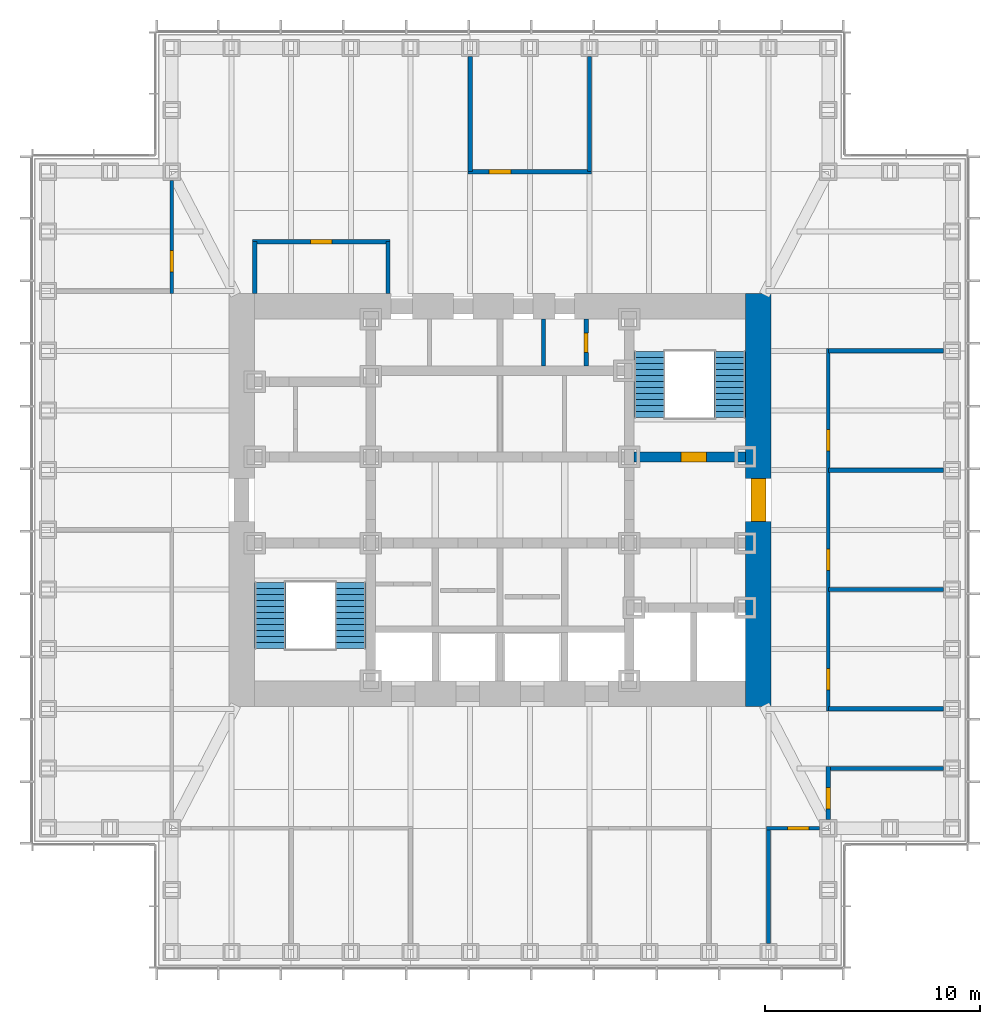
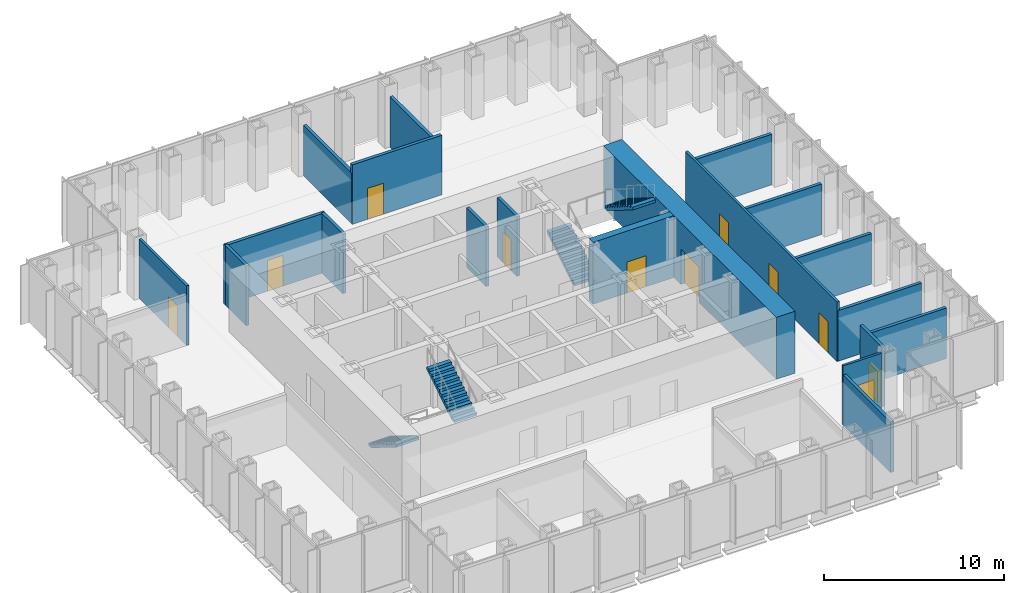
# One storey, part 10 of 16: 20 walls, 11 doors, 4 stair flights, 11 openings, 2 elements without a shape of their own.
"""IFC4 building model written with IfcOpenShell, lengths in metres."""

from ifc_helpers import new_model, si_unit, direction, frame, frame_2d, origin, place, context, subcontext, project, spatial, polyline, rectangle, outline, extrude, material, layer, layer_set, type_object, element, fill, aggregate, save


model = new_model("IFC4")

# Units and contexts
model_context = context("Model", 3, precision=1e-05, world=origin(), true_north=direction((0.0, 1.0)))
body_context = subcontext(model_context, "Body", "Model", "MODEL_VIEW")
ifc_project = project(units=[si_unit("LENGTHUNIT", "METRE"), si_unit("AREAUNIT", "SQUARE_METRE"), si_unit("VOLUMEUNIT", "CUBIC_METRE"), si_unit("PLANEANGLEUNIT", "RADIAN"), si_unit("MASSUNIT", "GRAM", prefix="KILO")], contexts=[model_context])

# Site, building, storey
site_placement = place(None, origin())
site = spatial("IfcSite", under=ifc_project, at=site_placement, CompositionType="ELEMENT")
building_placement = place(site_placement, origin())
building = spatial("IfcBuilding", under=site, at=building_placement, Name="Daluyong Arena Tower", CompositionType="ELEMENT")
storey_placement = place(building_placement, frame((0.0, 0.0, 267.10009765625)))
storey = spatial("IfcBuildingStorey", under=building, at=storey_placement, Name="L60", CompositionType="ELEMENT", Elevation=267.10009765625)

# Wall, opening, door
ifc_material_1 = material(Name="Concrete fc' 45 MPa", Category="concrete")
ifc_layer_1 = layer(ifc_material_1, 0.449951171875)
ifc_layer_set_1 = layer_set([ifc_layer_1], Name="Concrete fc' 45 MPa")
wall_type_1 = type_object("IfcWallType", Name="Core inner wall 450", PredefinedType="SHEAR", material=ifc_layer_set_1)
wall_1_placement = place(storey_placement, frame((62.22509765625, 82.0, 0.0), z_axis=(0.0, 0.0, 1.0), x_axis=(1.0, 0.0, 0.0)))
wall_1 = element("IfcWall", 1, at=wall_1_placement, inside=storey, type_object=wall_type_1, Name="core inner wall at L60", PredefinedType="SHEAR", context=body_context, shape_type="SweptSolid", body=[
    extrude(rectangle(XDim=5.1748046875, YDim=0.449951171875, at=frame_2d((2.58740234375, 0.0))), origin(), (0.0, 0.0, 1.0), 4.199951171875),
])
opening_1_placement = place(wall_1_placement, frame((2.175048828125, 0.0, 0.0)))
opening_1 = element("IfcOpeningElement", 2, at=opening_1_placement, cuts=wall_1, Name="Opening 60021", PredefinedType="OPENING", context=body_context, shape_type="SweptSolid", body=[
    extrude(rectangle(XDim=1.199951171875, YDim=2.10009765625, at=frame_2d((0.60009765625, 1.050048828125))), frame((0.0, 0.23486328125, 0.0), z_axis=(0.0, -1.0, 0.0), x_axis=(1.0, 0.0, 0.0)), (0.0, 0.0, 1.0), 0.469970703125),
])
ifc_material_2 = material(Name="Steel door, fire rated", Category="steel")
door_type_1 = type_object("IfcDoorType", Name="Stair door 1200", OperationType="SINGLE_SWING_LEFT", PredefinedType="DOOR", material=ifc_material_2)
door_1_placement = place(opening_1_placement, origin())
door_1 = element("IfcDoor", 3, at=door_1_placement, inside=storey, type_object=door_type_1, Name="stair B door 60021", OperationType="SINGLE_SWING_LEFT", OverallHeight=2.10009765625, OverallWidth=1.199951171875, PredefinedType="DOOR", context=body_context, shape_type="SweptSolid", body=[
    extrude(rectangle(XDim=1.199951171875, YDim=2.10009765625, at=frame_2d((0.60009765625, 1.050048828125))), frame((0.0, 0.224609375, 0.0), z_axis=(0.0, -1.0, 0.0), x_axis=(1.0, 0.0, 0.0)), (0.0, 0.0, 1.0), 0.449462890625),
])
fill(opening_1, door_1)

ifc_material_3 = material(Name="Concrete fc' 60 MPa", Category="concrete")
ifc_layer_2 = layer(ifc_material_3, 1.199951171875)
ifc_layer_set_2 = layer_set([ifc_layer_2], Name="Concrete fc' 60 MPa")
wall_type_2 = type_object("IfcWallType", Name="Core wall 1200", PredefinedType="SHEAR", material=ifc_layer_set_2)
wall_2_placement = place(storey_placement, frame((68.0, 70.39990234375, 0.0), z_axis=(0.0, 0.0, 1.0), x_axis=(0.0, 1.0, 0.0)))
wall_2 = element("IfcWall", 4, at=wall_2_placement, inside=storey, type_object=wall_type_2, Name="core wall at L60", PredefinedType="SHEAR", context=body_context, shape_type="SweptSolid", body=[
    extrude(rectangle(XDim=19.2001953125, YDim=1.199951171875, at=frame_2d((9.60009765625, 0.0))), origin(), (0.0, 0.0, 1.0), 4.199951171875),
])
opening_2_placement = place(wall_2_placement, frame((8.60009765625, 0.0, 0.0)))
opening_2 = element("IfcOpeningElement", 5, at=opening_2_placement, cuts=wall_2, Name="Opening 60023", PredefinedType="OPENING", context=body_context, shape_type="SweptSolid", body=[
    extrude(rectangle(XDim=2.0, YDim=2.39990234375, at=frame_2d((1.0, 1.199951171875))), frame((0.0, 0.60986328125, 0.0), z_axis=(0.0, -1.0, 0.0), x_axis=(1.0, 0.0, 0.0)), (0.0, 0.0, 1.0), 1.219970703125),
])
ifc_material_4 = material(Name="Steel door, fire rated", Category="steel")
door_type_2 = type_object("IfcDoorType", Name="Core lobby double door 2000", OperationType="DOUBLE_DOOR_SINGLE_SWING", PredefinedType="DOOR", material=ifc_material_4)
door_2_placement = place(opening_2_placement, origin())
door_2 = element("IfcDoor", 6, at=door_2_placement, inside=storey, type_object=door_type_2, Name="core lobby door east 60023", OperationType="DOUBLE_DOOR_SINGLE_SWING", OverallHeight=2.39990234375, OverallWidth=2.0, PredefinedType="DOOR", context=body_context, shape_type="SweptSolid", body=[
    extrude(rectangle(XDim=2.0, YDim=2.39990234375, at=frame_2d((1.0, 1.199951171875))), frame((0.0, 0.35009765625, 0.0), z_axis=(0.0, -1.0, 0.0), x_axis=(1.0, 0.0, 0.0)), (0.0, 0.0, 1.0), 0.699951171875),
])
fill(opening_2, door_2)

ifc_material_5 = material(Name="Concrete block partition, fire rated", Category="concrete")
ifc_layer_3 = layer(ifc_material_5, 0.199951171875)
ifc_layer_set_3 = layer_set([ifc_layer_3], Name="Concrete block partition, fire rated")
wall_type_3 = type_object("IfcWallType", Name="Fire-rated partition 200", PredefinedType="PARTITIONING", material=ifc_layer_set_3)
wall_3_placement = place(storey_placement, frame((60.0, 86.22509765625, 0.0), z_axis=(0.0, 0.0, 1.0), x_axis=(0.0, 1.0, 0.0)))
wall_3 = element("IfcWall", 7, at=wall_3_placement, inside=storey, type_object=wall_type_3, Name="electrical riser enclosure at L60", PredefinedType="PARTITIONING", context=body_context, shape_type="SweptSolid", body=[
    extrude(rectangle(XDim=2.1748046875, YDim=0.199951171875, at=frame_2d((1.08740234375, 0.0))), origin(), (0.0, 0.0, 1.0), 4.039794921875),
])
opening_3_placement = place(wall_3_placement, frame((0.637451171875, 0.0, 0.0)))
opening_3 = element("IfcOpeningElement", 8, at=opening_3_placement, cuts=wall_3, Name="Opening 60008", PredefinedType="OPENING", context=body_context, shape_type="SweptSolid", body=[
    extrude(rectangle(XDim=0.89990234375, YDim=2.10009765625, at=frame_2d((0.449951171875, 1.050048828125))), frame((0.0, 0.10986328125, 0.0), z_axis=(0.0, -1.0, 0.0), x_axis=(1.0, 0.0, 0.0)), (0.0, 0.0, 1.0), 0.219970703125),
])
ifc_material_6 = material(Name="Steel door, fire rated", Category="steel")
door_type_3 = type_object("IfcDoorType", Name="Riser door 900", OperationType="SINGLE_SWING_LEFT", PredefinedType="DOOR", material=ifc_material_6)
door_3_placement = place(opening_3_placement, origin())
door_3 = element("IfcDoor", 9, at=door_3_placement, inside=storey, type_object=door_type_3, Name="riser door 60008", OperationType="SINGLE_SWING_LEFT", OverallHeight=2.10009765625, OverallWidth=0.89990234375, PredefinedType="DOOR", context=body_context, shape_type="SweptSolid", body=[
    extrude(rectangle(XDim=0.89990234375, YDim=2.10009765625, at=frame_2d((0.449951171875, 1.050048828125))), frame((0.0, 0.099609375, 0.0), z_axis=(0.0, -1.0, 0.0), x_axis=(1.0, 0.0, 0.0)), (0.0, 0.0, 1.0), 0.199462890625),
])
fill(opening_3, door_3)

# Wall
wall_4_placement = place(storey_placement, frame((58.02490234375, 86.22509765625, 0.0), z_axis=(0.0, 0.0, 1.0), x_axis=(0.0, 1.0, 0.0)))
element("IfcWall", 10, at=wall_4_placement, inside=storey, type_object=wall_type_3, Name="core room partition at L60", PredefinedType="PARTITIONING", context=body_context, shape_type="SweptSolid", body=[
    extrude(rectangle(XDim=2.1748046875, YDim=0.199951171875, at=frame_2d((1.08740234375, 0.0))), origin(), (0.0, 0.0, 1.0), 4.039794921875),
])

# Wall, opening, door
ifc_material_7 = material(Name="Glazed aluminium partition", Category="aluminium")
ifc_layer_4 = layer(ifc_material_7, 0.14990234375)
ifc_layer_set_4 = layer_set([ifc_layer_4], Name="Glazed aluminium partition")
wall_type_4 = type_object("IfcWallType", Name="Glazed partition 150", PredefinedType="PARTITIONING", material=ifc_layer_set_4)
wall_5_placement = place(storey_placement, frame((68.377197265625, 64.75, 0.0), z_axis=(0.0, 0.0, 1.0), x_axis=(1.0, 0.0, 0.0)))
wall_5 = element("IfcWall", 11, at=wall_5_placement, inside=storey, type_object=wall_type_4, Name="glazed partition at L60", PredefinedType="PARTITIONING", context=body_context, shape_type="SweptSolid", body=[
    extrude(rectangle(XDim=2.472900390625, YDim=0.14990234375, at=frame_2d((1.236328125, 0.0))), origin(), (0.0, 0.0, 1.0), 4.039794921875),
])
opening_4_placement = place(wall_5_placement, frame((0.986328125, 0.0, 0.0)))
opening_4 = element("IfcOpeningElement", 12, at=opening_4_placement, cuts=wall_5, Name="Opening 60036", PredefinedType="OPENING", context=body_context, shape_type="SweptSolid", body=[
    extrude(rectangle(XDim=1.0, YDim=2.39990234375, at=frame_2d((0.5, 1.199951171875))), frame((0.0, 0.0849609375, 0.0), z_axis=(0.0, -1.0, 0.0), x_axis=(1.0, 0.0, 0.0)), (0.0, 0.0, 1.0), 0.169921875),
])
ifc_material_8 = material(Name="Glazed aluminium door", Category="aluminium")
door_type_4 = type_object("IfcDoorType", Name="Meeting room glazed door 1000", OperationType="SINGLE_SWING_RIGHT", PredefinedType="DOOR", material=ifc_material_8)
door_4_placement = place(opening_4_placement, origin())
door_4 = element("IfcDoor", 13, at=door_4_placement, inside=storey, type_object=door_type_4, Name="meeting room door 60036", OperationType="SINGLE_SWING_RIGHT", OverallHeight=2.39990234375, OverallWidth=1.0, PredefinedType="DOOR", context=body_context, shape_type="SweptSolid", body=[
    extrude(rectangle(XDim=1.0, YDim=2.39990234375, at=frame_2d((0.5, 1.199951171875))), frame((0.0, 0.07470703125, 0.0), z_axis=(0.0, -1.0, 0.0), x_axis=(1.0, 0.0, 0.0)), (0.0, 0.0, 1.0), 0.1494140625),
])
fill(opening_4, door_4)

wall_6_placement = place(storey_placement, frame((40.75, 89.6044921875, 0.0), z_axis=(0.0, 0.0, 1.0), x_axis=(0.0, 1.0, 0.0)))
wall_6 = element("IfcWall", 14, at=wall_6_placement, inside=storey, type_object=wall_type_4, Name="glazed partition at L60", PredefinedType="PARTITIONING", context=body_context, shape_type="SweptSolid", body=[
    extrude(rectangle(XDim=5.24560546875, YDim=0.14990234375, at=frame_2d((2.622802734375, 0.0))), origin(), (0.0, 0.0, 1.0), 4.039794921875),
])
opening_5_placement = place(wall_6_placement, frame((0.986328125, 0.0, 0.0)))
opening_5 = element("IfcOpeningElement", 15, at=opening_5_placement, cuts=wall_6, Name="Opening 60043", PredefinedType="OPENING", context=body_context, shape_type="SweptSolid", body=[
    extrude(rectangle(XDim=1.0, YDim=2.10009765625, at=frame_2d((0.5, 1.050048828125))), frame((0.0, 0.0849609375, 0.0), z_axis=(0.0, -1.0, 0.0), x_axis=(1.0, 0.0, 0.0)), (0.0, 0.0, 1.0), 0.169921875),
])
ifc_material_9 = material(Name="Timber door", Category="wood")
door_type_5 = type_object("IfcDoorType", Name="Room door 1000", OperationType="SINGLE_SWING_LEFT", PredefinedType="DOOR", material=ifc_material_9)
door_5_placement = place(opening_5_placement, origin())
door_5 = element("IfcDoor", 16, at=door_5_placement, inside=storey, type_object=door_type_5, Name="executive office door 60043", OperationType="SINGLE_SWING_LEFT", OverallHeight=2.10009765625, OverallWidth=1.0, PredefinedType="DOOR", context=body_context, shape_type="SweptSolid", body=[
    extrude(rectangle(XDim=1.0, YDim=2.10009765625, at=frame_2d((0.5, 1.050048828125))), frame((0.0, 0.07470703125, 0.0), z_axis=(0.0, -1.0, 0.0), x_axis=(1.0, 0.0, 0.0)), (0.0, 0.0, 1.0), 0.1494140625),
])
fill(opening_5, door_5)

# Wall, openings, doors
wall_7_placement = place(storey_placement, frame((71.25, 70.195556640625, 0.0), z_axis=(0.0, 0.0, 1.0), x_axis=(0.0, 1.0, 0.0)))
wall_7 = element("IfcWall", 17, at=wall_7_placement, inside=storey, type_object=wall_type_4, Name="glazed partition at L60", PredefinedType="PARTITIONING", context=body_context, shape_type="SweptSolid", body=[
    extrude(rectangle(XDim=16.836181640625, YDim=0.14990234375, at=frame_2d((8.41796875, 0.0))), origin(), (0.0, 0.0, 1.0), 4.039794921875),
])
opening_6_placement = place(wall_7_placement, frame((0.986328125, 0.0, 0.0)))
opening_6 = element("IfcOpeningElement", 18, at=opening_6_placement, cuts=wall_7, Name="Opening 60038", PredefinedType="OPENING", context=body_context, shape_type="SweptSolid", body=[
    extrude(rectangle(XDim=1.0, YDim=2.10009765625, at=frame_2d((0.5, 1.050048828125))), frame((0.0, 0.0849609375, 0.0), z_axis=(0.0, -1.0, 0.0), x_axis=(1.0, 0.0, 0.0)), (0.0, 0.0, 1.0), 0.169921875),
])
opening_7_placement = place(wall_7_placement, frame((6.53173828125, 0.0, 0.0)))
opening_7 = element("IfcOpeningElement", 19, at=opening_7_placement, cuts=wall_7, Name="Opening 60039", PredefinedType="OPENING", context=body_context, shape_type="SweptSolid", body=[
    extrude(rectangle(XDim=1.0, YDim=2.10009765625, at=frame_2d((0.5, 1.050048828125))), frame((0.0, 0.0849609375, 0.0), z_axis=(0.0, -1.0, 0.0), x_axis=(1.0, 0.0, 0.0)), (0.0, 0.0, 1.0), 0.169921875),
])
opening_8_placement = place(wall_7_placement, frame((12.077392578125, 0.0, 0.0)))
opening_8 = element("IfcOpeningElement", 20, at=opening_8_placement, cuts=wall_7, Name="Opening 60040", PredefinedType="OPENING", context=body_context, shape_type="SweptSolid", body=[
    extrude(rectangle(XDim=1.0, YDim=2.10009765625, at=frame_2d((0.5, 1.050048828125))), frame((0.0, 0.0849609375, 0.0), z_axis=(0.0, -1.0, 0.0), x_axis=(1.0, 0.0, 0.0)), (0.0, 0.0, 1.0), 0.169921875),
])
door_6_placement = place(opening_6_placement, origin())
door_6 = element("IfcDoor", 21, at=door_6_placement, inside=storey, type_object=door_type_5, Name="executive office door 60038", OperationType="SINGLE_SWING_LEFT", OverallHeight=2.10009765625, OverallWidth=1.0, PredefinedType="DOOR", context=body_context, shape_type="SweptSolid", body=[
    extrude(rectangle(XDim=1.0, YDim=2.10009765625, at=frame_2d((0.5, 1.050048828125))), frame((0.0, 0.07470703125, 0.0), z_axis=(0.0, -1.0, 0.0), x_axis=(1.0, 0.0, 0.0)), (0.0, 0.0, 1.0), 0.1494140625),
])
fill(opening_6, door_6)
door_7_placement = place(opening_7_placement, origin())
door_7 = element("IfcDoor", 22, at=door_7_placement, inside=storey, type_object=door_type_5, Name="executive office door 60039", OperationType="SINGLE_SWING_LEFT", OverallHeight=2.10009765625, OverallWidth=1.0, PredefinedType="DOOR", context=body_context, shape_type="SweptSolid", body=[
    extrude(rectangle(XDim=1.0, YDim=2.10009765625, at=frame_2d((0.5, 1.050048828125))), frame((0.0, 0.07470703125, 0.0), z_axis=(0.0, -1.0, 0.0), x_axis=(1.0, 0.0, 0.0)), (0.0, 0.0, 1.0), 0.1494140625),
])
fill(opening_7, door_7)
door_8_placement = place(opening_8_placement, origin())
door_8 = element("IfcDoor", 23, at=door_8_placement, inside=storey, type_object=door_type_5, Name="executive office door 60040", OperationType="SINGLE_SWING_LEFT", OverallHeight=2.10009765625, OverallWidth=1.0, PredefinedType="DOOR", context=body_context, shape_type="SweptSolid", body=[
    extrude(rectangle(XDim=1.0, YDim=2.10009765625, at=frame_2d((0.5, 1.050048828125))), frame((0.0, 0.07470703125, 0.0), z_axis=(0.0, -1.0, 0.0), x_axis=(1.0, 0.0, 0.0)), (0.0, 0.0, 1.0), 0.1494140625),
])
fill(opening_8, door_8)

# Walls
ifc_material_10 = material(Name="Concrete block partition", Category="concrete")
ifc_layer_5 = layer(ifc_material_10, 0.199951171875)
ifc_layer_set_5 = layer_set([ifc_layer_5], Name="Concrete block partition")
wall_type_5 = type_object("IfcWallType", Name="Partition 200", PredefinedType="PARTITIONING", material=ifc_layer_set_5)
for number, where, z_axis, x_axis, name in (
    (24, (68.477294921875, 59.39990234375, 0.0), (0.0, 0.0, 1.0), (0.0, 1.0, 0.0), "partition at L60"),
    (25, (71.25, 67.522705078125, 0.0), (0.0, 0.0, 1.0), (1.0, 0.0, 0.0), "partition at L60"),
    (26, (71.25, 70.29541015625, 0.0), (0.0, 0.0, 1.0), (1.0, 0.0, 0.0), "partition at L60"),
    (27, (71.25, 75.8408203125, 0.0), (0.0, 0.0, 1.0), (1.0, 0.0, 0.0), "partition at L60"),
    (28, (71.25, 81.386474609375, 0.0), (0.0, 0.0, 1.0), (1.0, 0.0, 0.0), "partition at L60"),
    (29, (71.25, 86.931884765625, 0.0), (0.0, 0.0, 1.0), (1.0, 0.0, 0.0), "partition at L60"),
    (30, (54.613525390625, 95.25, 0.0), (0.0, 0.0, 1.0), (0.0, 1.0, 0.0), "partition at L60"),
    (31, (60.1591796875, 95.25, 0.0), (0.0, 0.0, 1.0), (0.0, 1.0, 0.0), "partition at L60"),
):
    element("IfcWall", number, at=place(storey_placement, frame(where, z_axis=z_axis, x_axis=x_axis)), inside=storey, type_object=wall_type_5, Name=name, PredefinedType="PARTITIONING", context=body_context, shape_type="SweptSolid", body=[
        extrude(rectangle(XDim=5.35009765625, YDim=0.199951171875, at=frame_2d((2.675048828125, 0.0))), origin(), (0.0, 0.0, 1.0), 3.427734375),
    ])
for number, where, z_axis, x_axis, name in (
    (32, (44.60009765625, 89.60009765625, 0.0), (0.0, 0.0, 1.0), (0.0, 1.0, 0.0), "partition at L60"),
    (33, (50.800048828125, 89.60009765625, 0.0), (0.0, 0.0, 1.0), (0.0, 1.0, 0.0), "partition at L60"),
):
    element("IfcWall", number, at=place(storey_placement, frame(where, z_axis=z_axis, x_axis=x_axis)), inside=storey, type_object=wall_type_5, Name=name, PredefinedType="PARTITIONING", context=body_context, shape_type="SweptSolid", body=[
        extrude(rectangle(XDim=2.39990234375, YDim=0.199951171875, at=frame_2d((1.199951171875, 0.0))), origin(), (0.0, 0.0, 1.0), 4.039794921875),
    ])

# Wall, opening, door
wall_8_placement = place(storey_placement, frame((44.5, 92.0, 0.0), z_axis=(0.0, 0.0, 1.0), x_axis=(1.0, 0.0, 0.0)))
wall_8 = element("IfcWall", 34, at=wall_8_placement, inside=storey, type_object=wall_type_5, Name="partition at L60", PredefinedType="PARTITIONING", context=body_context, shape_type="SweptSolid", body=[
    extrude(rectangle(XDim=6.39990234375, YDim=0.199951171875, at=frame_2d((3.199951171875, 0.0))), origin(), (0.0, 0.0, 1.0), 4.039794921875),
])
opening_9_placement = place(wall_8_placement, frame((2.699951171875, 0.0, 0.0)))
opening_9 = element("IfcOpeningElement", 35, at=opening_9_placement, cuts=wall_8, Name="Opening 60044", PredefinedType="OPENING", context=body_context, shape_type="SweptSolid", body=[
    extrude(rectangle(XDim=1.0, YDim=2.10009765625, at=frame_2d((0.5, 1.050048828125))), frame((0.0, 0.10986328125, 0.0), z_axis=(0.0, -1.0, 0.0), x_axis=(1.0, 0.0, 0.0)), (0.0, 0.0, 1.0), 0.219970703125),
])
door_9_placement = place(opening_9_placement, origin())
door_9 = element("IfcDoor", 36, at=door_9_placement, inside=storey, type_object=door_type_5, Name="project room door 60044", OperationType="SINGLE_SWING_LEFT", OverallHeight=2.10009765625, OverallWidth=1.0, PredefinedType="DOOR", context=body_context, shape_type="SweptSolid", body=[
    extrude(rectangle(XDim=1.0, YDim=2.10009765625, at=frame_2d((0.5, 1.050048828125))), frame((0.0, 0.099609375, 0.0), z_axis=(0.0, -1.0, 0.0), x_axis=(1.0, 0.0, 0.0)), (0.0, 0.0, 1.0), 0.199462890625),
])
fill(opening_9, door_9)

wall_9_placement = place(storey_placement, frame((54.513671875, 95.25, 0.0), z_axis=(0.0, 0.0, 1.0), x_axis=(1.0, 0.0, 0.0)))
wall_9 = element("IfcWall", 37, at=wall_9_placement, inside=storey, type_object=wall_type_5, Name="partition at L60", PredefinedType="PARTITIONING", context=body_context, shape_type="SweptSolid", body=[
    extrude(rectangle(XDim=5.745361328125, YDim=0.199951171875, at=frame_2d((2.87255859375, 0.0))), origin(), (0.0, 0.0, 1.0), 4.039794921875),
])
opening_10_placement = place(wall_9_placement, frame((0.986328125, 0.0, 0.0)))
opening_10 = element("IfcOpeningElement", 38, at=opening_10_placement, cuts=wall_9, Name="Opening 60041", PredefinedType="OPENING", context=body_context, shape_type="SweptSolid", body=[
    extrude(rectangle(XDim=1.0, YDim=2.10009765625, at=frame_2d((0.5, 1.050048828125))), frame((0.0, 0.10986328125, 0.0), z_axis=(0.0, -1.0, 0.0), x_axis=(1.0, 0.0, 0.0)), (0.0, 0.0, 1.0), 0.219970703125),
])
door_10_placement = place(opening_10_placement, origin())
door_10 = element("IfcDoor", 39, at=door_10_placement, inside=storey, type_object=door_type_5, Name="pantry door 60041", OperationType="SINGLE_SWING_LEFT", OverallHeight=2.10009765625, OverallWidth=1.0, PredefinedType="DOOR", context=body_context, shape_type="SweptSolid", body=[
    extrude(rectangle(XDim=1.0, YDim=2.10009765625, at=frame_2d((0.5, 1.050048828125))), frame((0.0, 0.099609375, 0.0), z_axis=(0.0, -1.0, 0.0), x_axis=(1.0, 0.0, 0.0)), (0.0, 0.0, 1.0), 0.199462890625),
])
fill(opening_10, door_10)

wall_10_placement = place(storey_placement, frame((71.25, 65.14990234375, 0.0), z_axis=(0.0, 0.0, 1.0), x_axis=(0.0, 1.0, 0.0)))
wall_10 = element("IfcWall", 40, at=wall_10_placement, inside=storey, type_object=wall_type_5, Name="partition at L60", PredefinedType="PARTITIONING", context=body_context, shape_type="SweptSolid", body=[
    extrude(rectangle(XDim=2.472900390625, YDim=0.199951171875, at=frame_2d((1.236328125, 0.0))), origin(), (0.0, 0.0, 1.0), 4.039794921875),
])
opening_11_placement = place(wall_10_placement, frame((0.486328125, 0.0, 0.0)))
opening_11 = element("IfcOpeningElement", 41, at=opening_11_placement, cuts=wall_10, Name="Opening 60037", PredefinedType="OPENING", context=body_context, shape_type="SweptSolid", body=[
    extrude(rectangle(XDim=1.0, YDim=2.10009765625, at=frame_2d((0.5, 1.050048828125))), frame((0.0, 0.10986328125, 0.0), z_axis=(0.0, -1.0, 0.0), x_axis=(1.0, 0.0, 0.0)), (0.0, 0.0, 1.0), 0.219970703125),
])
door_11_placement = place(opening_11_placement, origin())
door_11 = element("IfcDoor", 42, at=door_11_placement, inside=storey, type_object=door_type_5, Name="wellness room door 60037", OperationType="SINGLE_SWING_LEFT", OverallHeight=2.10009765625, OverallWidth=1.0, PredefinedType="DOOR", context=body_context, shape_type="SweptSolid", body=[
    extrude(rectangle(XDim=1.0, YDim=2.10009765625, at=frame_2d((0.5, 1.050048828125))), frame((0.0, 0.099609375, 0.0), z_axis=(0.0, -1.0, 0.0), x_axis=(1.0, 0.0, 0.0)), (0.0, 0.0, 1.0), 0.199462890625),
])
fill(opening_11, door_11)

# Stair, stair flights
ifc_material_11 = material(Name="Concrete fc' 35 MPa", Category="concrete")
stair_type = type_object("IfcStairType", Name="Core exit stair", PredefinedType="HALF_TURN_STAIR", material=ifc_material_11)
stair_1_placement = place(storey_placement, origin())
stair_1 = element("IfcStair", 43, at=stair_1_placement, inside=storey, type_object=stair_type, Name="exit stair A L60", PredefinedType="HALF_TURN_STAIR")
ifc_material_12 = material(Name="Concrete fc' 35 MPa", Category="concrete")
stair_flight_type = type_object("IfcStairFlightType", Name="Core stair flight", PredefinedType="STRAIGHT", material=ifc_material_12)
stair_flight_1_placement = place(storey_placement, frame((45.324951171875, 76.175048828125, 0.0), z_axis=(0.0, 0.0, 1.0), x_axis=(0.0, -1.0, 0.0)))
stair_flight_1 = element("IfcStairFlight", 44, at=stair_flight_1_placement, type_object=stair_flight_type, Name="STA flight 1", NumberOfRisers=12, NumberOfTreads=11, PredefinedType="STRAIGHT", RiserHeight=0.175, TreadLength=0.28, context=body_context, shape_type="SweptSolid", body=[
    extrude(outline(polyline([(0.0, 0.0), (0.0, 0.175048828125), (0.280029296875, 0.175048828125), (0.280029296875, 0.35009765625), (0.56005859375, 0.35009765625), (0.56005859375, 0.52490234375), (0.840087890625, 0.52490234375), (0.840087890625, 0.699951171875), (1.1201171875, 0.699951171875), (1.1201171875, 0.875), (1.39990234375, 0.875), (1.39990234375, 1.050048828125), (1.679931640625, 1.050048828125), (1.679931640625, 1.22509765625), (1.9599609375, 1.22509765625), (1.9599609375, 1.39990234375), (2.239990234375, 1.39990234375), (2.239990234375, 1.574951171875), (2.52001953125, 1.574951171875), (2.52001953125, 1.75), (2.800048828125, 1.75), (2.800048828125, 1.925048828125), (3.080078125, 1.925048828125), (3.080078125, 2.10009765625), (3.080078125, 1.748291015625), (0.28271484375, 0.0), (0.0, 0.0)])), frame((0.0, 0.72509765625, 0.0), z_axis=(0.0, -1.0, 0.0), x_axis=(1.0, 0.0, 0.0)), (0.0, 0.0, 1.0), 1.449951171875),
])
stair_flight_2_placement = place(storey_placement, frame((49.050048828125, 73.094970703125, 2.099853515625), z_axis=(0.0, 0.0, 1.0), x_axis=(0.0, 1.0, 0.0)))
stair_flight_2 = element("IfcStairFlight", 45, at=stair_flight_2_placement, type_object=stair_flight_type, Name="STA flight 2", NumberOfRisers=12, NumberOfTreads=11, PredefinedType="STRAIGHT", RiserHeight=0.175, TreadLength=0.28, context=body_context, shape_type="SweptSolid", body=[
    extrude(outline(polyline([(0.0, 0.0), (0.0, 0.175048828125), (0.280029296875, 0.175048828125), (0.280029296875, 0.35009765625), (0.56005859375, 0.35009765625), (0.56005859375, 0.52490234375), (0.840087890625, 0.52490234375), (0.840087890625, 0.699951171875), (1.1201171875, 0.699951171875), (1.1201171875, 0.875), (1.39990234375, 0.875), (1.39990234375, 1.050048828125), (1.679931640625, 1.050048828125), (1.679931640625, 1.22509765625), (1.9599609375, 1.22509765625), (1.9599609375, 1.39990234375), (2.239990234375, 1.39990234375), (2.239990234375, 1.574951171875), (2.52001953125, 1.574951171875), (2.52001953125, 1.75), (2.800048828125, 1.75), (2.800048828125, 1.925048828125), (3.080078125, 1.925048828125), (3.080078125, 2.10009765625), (3.080078125, 1.748291015625), (0.28271484375, 0.0), (0.0, 0.0)])), frame((0.0, 0.72509765625, 0.0), z_axis=(0.0, -1.0, 0.0), x_axis=(1.0, 0.0, 0.0)), (0.0, 0.0, 1.0), 1.449951171875),
])
aggregate(stair_1, [stair_flight_1, stair_flight_2])

stair_2_placement = place(storey_placement, origin())
stair_2 = element("IfcStair", 46, at=stair_2_placement, inside=storey, type_object=stair_type, Name="exit stair B L60", PredefinedType="HALF_TURN_STAIR")
stair_flight_3_placement = place(storey_placement, frame((62.949951171875, 83.824951171875, 0.0), z_axis=(0.0, 0.0, 1.0), x_axis=(0.0, 1.0, 0.0)))
stair_flight_3 = element("IfcStairFlight", 47, at=stair_flight_3_placement, type_object=stair_flight_type, Name="STB flight 1", NumberOfRisers=12, NumberOfTreads=11, PredefinedType="STRAIGHT", RiserHeight=0.175, TreadLength=0.28, context=body_context, shape_type="SweptSolid", body=[
    extrude(outline(polyline([(0.0, 0.0), (0.0, 0.175048828125), (0.280029296875, 0.175048828125), (0.280029296875, 0.35009765625), (0.56005859375, 0.35009765625), (0.56005859375, 0.52490234375), (0.840087890625, 0.52490234375), (0.840087890625, 0.699951171875), (1.1201171875, 0.699951171875), (1.1201171875, 0.875), (1.39990234375, 0.875), (1.39990234375, 1.050048828125), (1.679931640625, 1.050048828125), (1.679931640625, 1.22509765625), (1.9599609375, 1.22509765625), (1.9599609375, 1.39990234375), (2.239990234375, 1.39990234375), (2.239990234375, 1.574951171875), (2.52001953125, 1.574951171875), (2.52001953125, 1.75), (2.800048828125, 1.75), (2.800048828125, 1.925048828125), (3.080078125, 1.925048828125), (3.080078125, 2.10009765625), (3.080078125, 1.748291015625), (0.28271484375, 0.0), (0.0, 0.0)])), frame((0.0, 0.72509765625, 0.0), z_axis=(0.0, -1.0, 0.0), x_axis=(1.0, 0.0, 0.0)), (0.0, 0.0, 1.0), 1.449951171875),
])
stair_flight_4_placement = place(storey_placement, frame((66.675048828125, 86.905029296875, 2.099853515625), z_axis=(0.0, 0.0, 1.0), x_axis=(0.0, -1.0, 0.0)))
stair_flight_4 = element("IfcStairFlight", 48, at=stair_flight_4_placement, type_object=stair_flight_type, Name="STB flight 2", NumberOfRisers=12, NumberOfTreads=11, PredefinedType="STRAIGHT", RiserHeight=0.175, TreadLength=0.28, context=body_context, shape_type="SweptSolid", body=[
    extrude(outline(polyline([(0.0, 0.0), (0.0, 0.175048828125), (0.280029296875, 0.175048828125), (0.280029296875, 0.35009765625), (0.56005859375, 0.35009765625), (0.56005859375, 0.52490234375), (0.840087890625, 0.52490234375), (0.840087890625, 0.699951171875), (1.1201171875, 0.699951171875), (1.1201171875, 0.875), (1.39990234375, 0.875), (1.39990234375, 1.050048828125), (1.679931640625, 1.050048828125), (1.679931640625, 1.22509765625), (1.9599609375, 1.22509765625), (1.9599609375, 1.39990234375), (2.239990234375, 1.39990234375), (2.239990234375, 1.574951171875), (2.52001953125, 1.574951171875), (2.52001953125, 1.75), (2.800048828125, 1.75), (2.800048828125, 1.925048828125), (3.080078125, 1.925048828125), (3.080078125, 2.10009765625), (3.080078125, 1.748291015625), (0.28271484375, 0.0), (0.0, 0.0)])), frame((0.0, 0.72509765625, 0.0), z_axis=(0.0, -1.0, 0.0), x_axis=(1.0, 0.0, 0.0)), (0.0, 0.0, 1.0), 1.449951171875),
])
aggregate(stair_2, [stair_flight_3, stair_flight_4])

save(model, "model.ifc")
